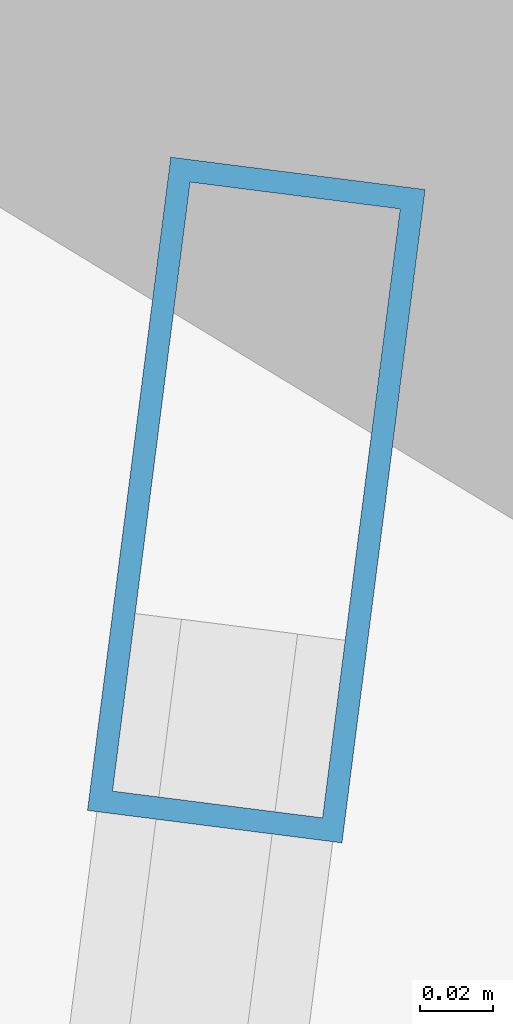
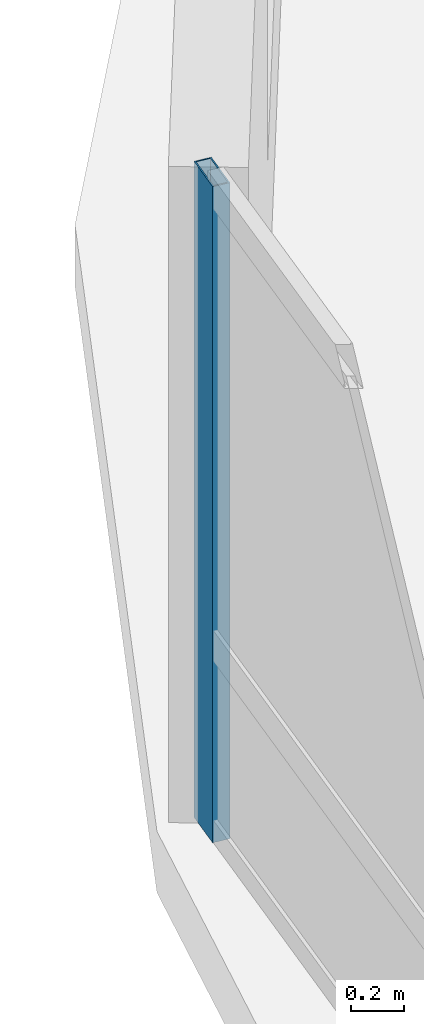
# One storey, part 6 of 17: 1 member, 1 element without a shape of its own.
"""IFC4 building model written with IfcOpenShell, lengths in metres."""

from ifc_helpers import new_model, si_unit, direction, frame, origin, origin_2d, place, context, subcontext, project, spatial, hollow_rectangle, extrude, material, layer, layer_set, material_profile, profile_set, type_object, element, aggregate, save


model = new_model("IFC4")

# Units and contexts
model_context = context("Model", 3, precision=1e-05, world=origin(), true_north=direction((0.0, 1.0)))
body_context = subcontext(model_context, "Body", "Model", "MODEL_VIEW")
ifc_project = project(units=[si_unit("LENGTHUNIT", "METRE"), si_unit("AREAUNIT", "SQUARE_METRE"), si_unit("VOLUMEUNIT", "CUBIC_METRE"), si_unit("PLANEANGLEUNIT", "RADIAN"), si_unit("MASSUNIT", "GRAM", prefix="KILO"), si_unit("THERMODYNAMICTEMPERATUREUNIT", "KELVIN"), si_unit("POWERUNIT", "WATT")], contexts=[model_context])

# Site, building, storey
site_placement = place(None, origin())
site = spatial("IfcSite", under=ifc_project, at=site_placement, CompositionType="ELEMENT")
building_placement = place(site_placement, origin())
building = spatial("IfcBuilding", under=site, at=building_placement, Name="Ocrelia Relay Tower", CompositionType="ELEMENT")
storey_placement = place(building_placement, frame((0.0, 0.0, 55.199951171875)))
storey = spatial("IfcBuildingStorey", under=building, at=storey_placement, Name="L12", CompositionType="ELEMENT", Elevation=55.199951171875)

# Curtain wall, member
ifc_material_1 = material(Name="Aluminium and solar-control low-E glass", Category="aluminium")
ifc_layer = layer(ifc_material_1, 0.179931640625, Name="Aluminium and solar-control low-E glass")
ifc_layer_set = layer_set([ifc_layer], Name="Aluminium and solar-control low-E glass")
curtain_wall_type = type_object("IfcCurtainWallType", Name="CW-SYS-Z1-DATA", PredefinedType="NOTDEFINED", material=ifc_layer_set)
curtain_wall_placement = place(storey_placement, origin())
curtain_wall = element("IfcCurtainWall", 1, at=curtain_wall_placement, inside=storey, type_object=curtain_wall_type, Name="L12 Elliptical Tower Curtain Wall Bay 09", PredefinedType="NOTDEFINED")
ifc_material_2 = material(Name="Anodised bronze aluminium", Category="aluminium")
ifc_material_profile = material_profile(ifc_material_2, hollow_rectangle(XDim=0.070068359375, YDim=0.179931640625, WallThickness=0.006103515625, at=origin_2d()), Name="CW-MUL-180x70")
ifc_profile_set = profile_set([ifc_material_profile], Name="Anodised bronze aluminium")
member_type = type_object("IfcMemberType", Name="CW-SYS-Z1-DATA-MUL", PredefinedType="MULLION", material=ifc_profile_set)
member_placement = place(storey_placement, frame((7.27783203125, 30.61962890625, 0.0), z_axis=(0.0, 0.0, 1.0), x_axis=(0.991982673525, -0.126373950742, 0.0)))
member = element("IfcMember", 2, at=member_placement, type_object=member_type, Name="CW-Z1 mullion 1", PredefinedType="MULLION", context=body_context, shape_type="SweptSolid", body=[
    extrude(hollow_rectangle(XDim=0.070068359375, YDim=0.179931640625, WallThickness=0.006103515625, at=origin_2d()), origin(), (0.0, 0.0, 1.0), 3.0),
])
aggregate(curtain_wall, [member])

save(model, "model.ifc")
